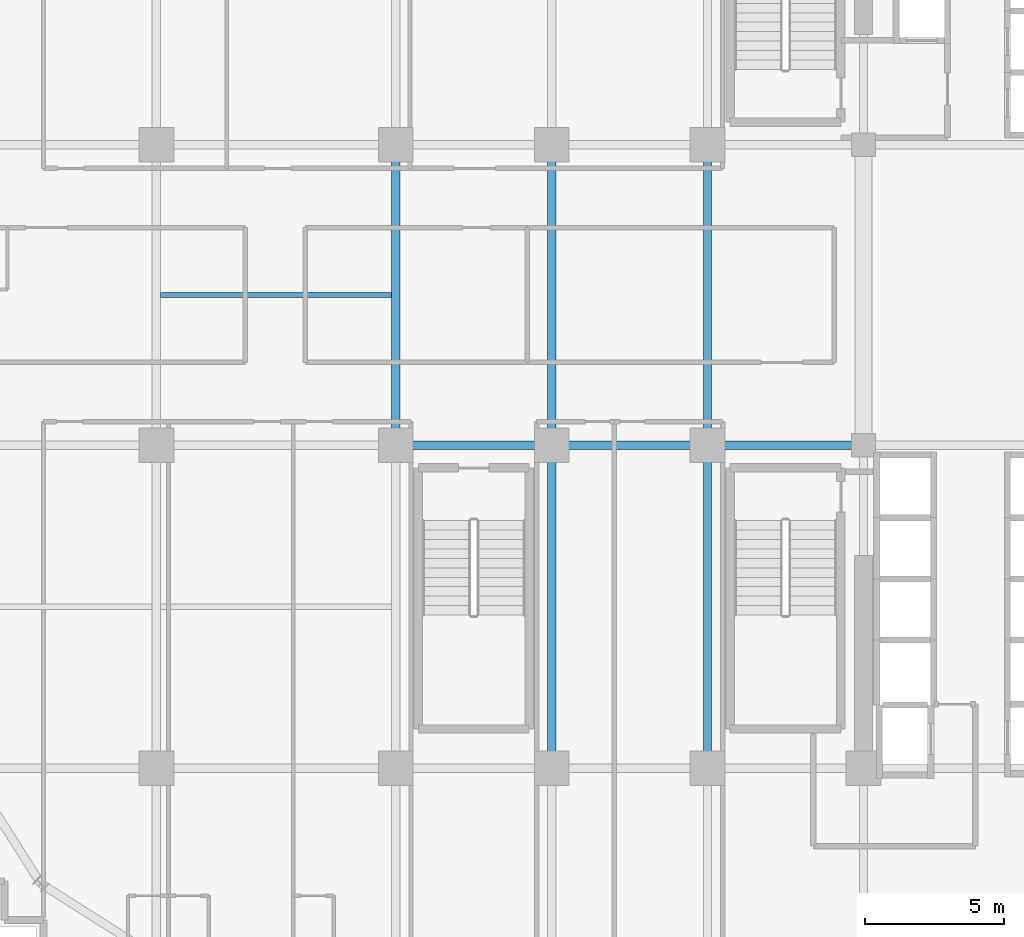
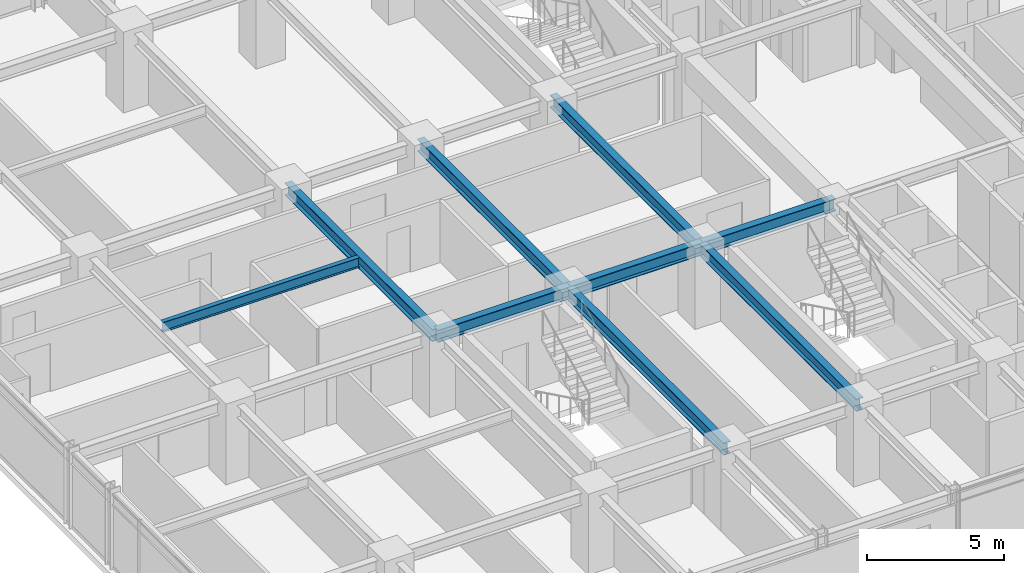
# One storey, part 10 of 33: 9 beams.
"""IFC4 building model written with IfcOpenShell, lengths in metres."""

from ifc_helpers import new_model, si_unit, direction, frame, origin, origin_2d, place, context, subcontext, project, spatial, i_section, extrude, source, transform, mapped, material, material_profile, profile_set, type_object, element, save


model = new_model("IFC4")

# Units and contexts
model_context = context("Model", 3, precision=1e-05, world=origin(), true_north=direction((0.0, 1.0)))
body_context = subcontext(model_context, "Body", "Model", "MODEL_VIEW")
ifc_project = project(units=[si_unit("LENGTHUNIT", "METRE"), si_unit("AREAUNIT", "SQUARE_METRE"), si_unit("VOLUMEUNIT", "CUBIC_METRE"), si_unit("PLANEANGLEUNIT", "RADIAN"), si_unit("MASSUNIT", "GRAM", prefix="KILO")], contexts=[model_context])

# Site, building, storey
site_placement = place(None, origin())
site = spatial("IfcSite", under=ifc_project, at=site_placement, CompositionType="ELEMENT")
building_placement = place(site_placement, origin())
building = spatial("IfcBuilding", under=site, at=building_placement, Name="Nahalor Promenade Grand Hotel", CompositionType="ELEMENT")
storey_placement = place(building_placement, frame((0.0, 0.0, 117.5)))
storey = spatial("IfcBuildingStorey", under=building, at=storey_placement, Name="L29", CompositionType="ELEMENT", Elevation=117.5)

# Beams
ifc_material = material(Name="Steel S355JR", Category="steel")
ifc_material_profile_1 = material_profile(ifc_material, i_section(OverallWidth=0.3, OverallDepth=0.55, WebThickness=0.015, FlangeThickness=0.029, at=origin_2d()), Name="HEB 550")
ifc_profile_set_1 = profile_set([ifc_material_profile_1], Name="Steel S355JR")
beam_type_1 = type_object("IfcBeamType", Name="Beam-Girder-HEB550", PredefinedType="BEAM", material=ifc_profile_set_1)
shared_shape_1 = source(origin(), body_context, "Body", "SweptSolid", [
    extrude(i_section(OverallWidth=0.3, OverallDepth=0.55, WebThickness=0.015, FlangeThickness=0.029, at=origin_2d()), origin(), (0.0, 0.0, 1.0), 5.599853515625),
])
for number, where, z_axis, x_axis, name in (
    (1, (-8.39990234375, -5.39990234375, 3.10498046875), (1.0, 0.0, 0.0), (0.0, 1.0, 0.0), "BM-L29-GX-1-2"),
    (2, (2.800048828125, -5.39990234375, 3.10498046875), (1.0, 0.0, 0.0), (0.0, 1.0, 0.0), "BM-L29-GX-1-4"),
):
    element("IfcBeam", number, at=place(storey_placement, frame(where, z_axis=z_axis, x_axis=x_axis)), inside=storey, type_object=beam_type_1, Name=name, PredefinedType="BEAM", context=body_context, shape_type="MappedRepresentation", body=[
        mapped(shared_shape_1, transform((0.0, 0.0, 0.0), scale=1.0)),
    ])
shared_shape_2 = source(origin(), body_context, "Body", "SweptSolid", [
    extrude(i_section(OverallWidth=0.3, OverallDepth=0.55, WebThickness=0.015, FlangeThickness=0.029, at=origin_2d()), origin(), (0.0, 0.0, 1.0), 5.60009765625),
])
beam_1_placement = place(storey_placement, frame((-2.800048828125, -5.39990234375, 3.10498046875), z_axis=(1.0, 0.0, 0.0), x_axis=(0.0, 1.0, 0.0)))
element("IfcBeam", 3, at=beam_1_placement, inside=storey, type_object=beam_type_1, Name="BM-L29-GX-1-3", PredefinedType="BEAM", context=body_context, shape_type="MappedRepresentation", body=[
    mapped(shared_shape_2, transform((0.0, 0.0, 0.0), scale=1.0)),
])
shared_shape_3 = source(origin(), body_context, "Body", "SweptSolid", [
    extrude(i_section(OverallWidth=0.3, OverallDepth=0.55, WebThickness=0.015, FlangeThickness=0.029, at=origin_2d()), origin(), (0.0, 0.0, 1.0), 11.60009765625),
])
for number, where, z_axis, x_axis, name in (
    (4, (-2.800048828125, -17.0, 3.10498046875), (0.0, 1.0, 0.0), (-1.0, 0.0, 0.0), "BM-L29-GY-2-1"),
    (5, (2.800048828125, -17.0, 3.10498046875), (0.0, 1.0, 0.0), (-1.0, 0.0, 0.0), "BM-L29-GY-3-1"),
):
    element("IfcBeam", number, at=place(storey_placement, frame(where, z_axis=z_axis, x_axis=x_axis)), inside=storey, type_object=beam_type_1, Name=name, PredefinedType="BEAM", context=body_context, shape_type="MappedRepresentation", body=[
        mapped(shared_shape_3, transform((0.0, 0.0, 0.0), scale=1.0)),
    ])
shared_shape_4 = source(origin(), body_context, "Body", "SweptSolid", [
    extrude(i_section(OverallWidth=0.3, OverallDepth=0.55, WebThickness=0.015, FlangeThickness=0.029, at=origin_2d()), origin(), (0.0, 0.0, 1.0), 10.7998046875),
])
for number, where, z_axis, x_axis, name in (
    (6, (-8.39990234375, -5.39990234375, 3.10498046875), (0.0, 1.0, 0.0), (-1.0, 0.0, 0.0), "BM-L29-GY-1-2"),
    (7, (-2.800048828125, -5.39990234375, 3.10498046875), (0.0, 1.0, 0.0), (-1.0, 0.0, 0.0), "BM-L29-GY-2-2"),
    (8, (2.800048828125, -5.39990234375, 3.10498046875), (0.0, 1.0, 0.0), (-1.0, 0.0, 0.0), "BM-L29-GY-3-2"),
):
    element("IfcBeam", number, at=place(storey_placement, frame(where, z_axis=z_axis, x_axis=x_axis)), inside=storey, type_object=beam_type_1, Name=name, PredefinedType="BEAM", context=body_context, shape_type="MappedRepresentation", body=[
        mapped(shared_shape_4, transform((0.0, 0.0, 0.0), scale=1.0)),
    ])
ifc_material_profile_2 = material_profile(ifc_material, i_section(OverallWidth=0.19, OverallDepth=0.45, WebThickness=0.0094, FlangeThickness=0.0146, at=origin_2d()), Name="IPE 450")
ifc_profile_set_2 = profile_set([ifc_material_profile_2], Name="Steel S355JR")
beam_type_2 = type_object("IfcBeamType", Name="Beam-Joist-IPE450", PredefinedType="JOIST", material=ifc_profile_set_2)
shared_shape_5 = source(origin(), body_context, "Body", "SweptSolid", [
    extrude(i_section(OverallWidth=0.19, OverallDepth=0.45, WebThickness=0.0094, FlangeThickness=0.0146, at=origin_2d()), origin(), (0.0, 0.0, 1.0), 8.300048828125),
])
beam_2_placement = place(storey_placement, frame((-16.85009765625, 0.0, 3.155029296875), z_axis=(1.0, 0.0, 0.0), x_axis=(0.0, 1.0, 0.0)))
element("IfcBeam", 9, at=beam_2_placement, inside=storey, type_object=beam_type_2, Name="BM-L29-JSC-0", PredefinedType="JOIST", context=body_context, shape_type="MappedRepresentation", body=[
    mapped(shared_shape_5, transform((0.0, 0.0, 0.0), scale=1.0)),
])

save(model, "model.ifc")
